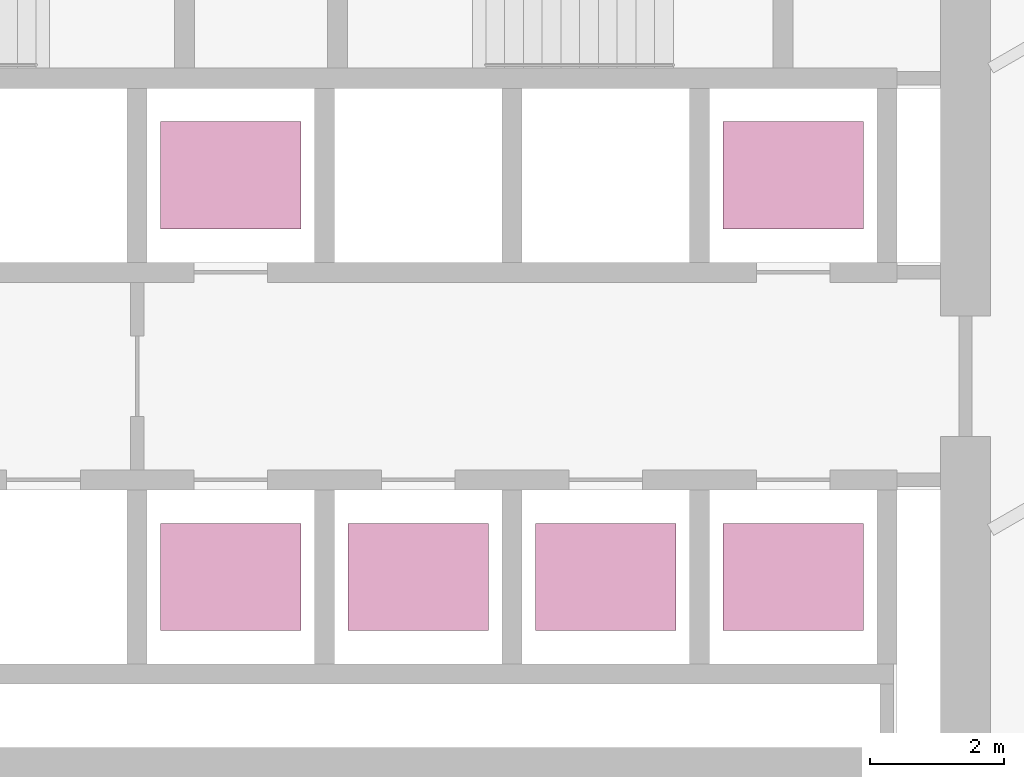
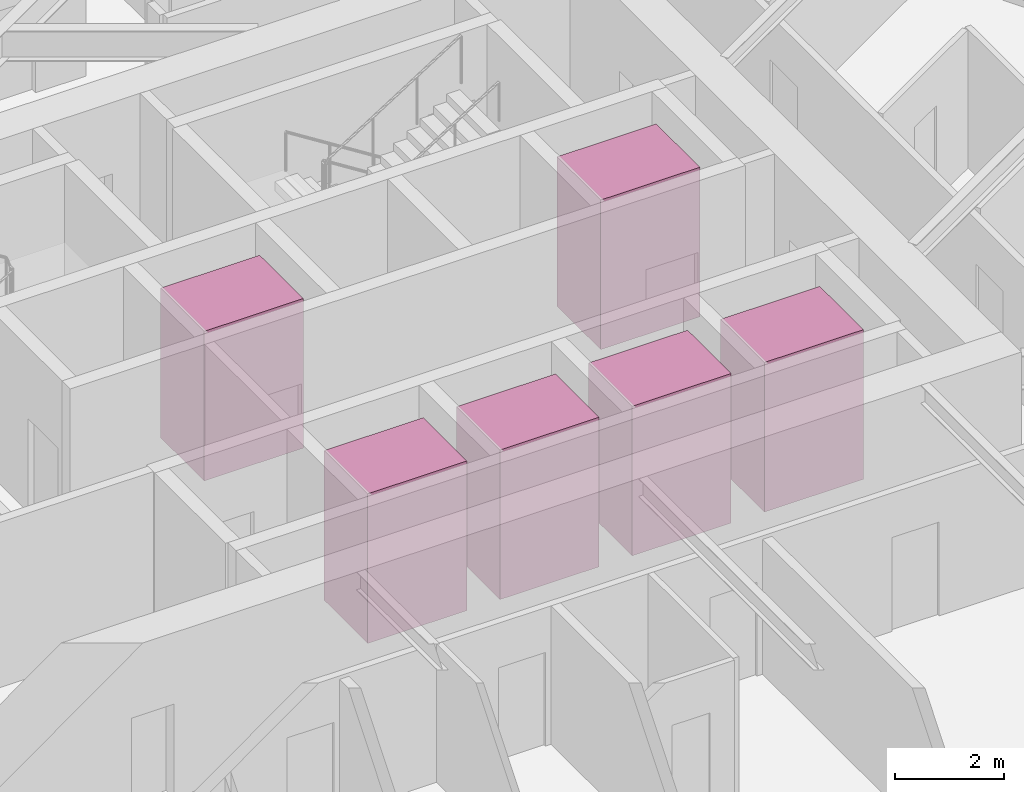
# One storey, part 26 of 26: 6 transport elements.
"""IFC4 building model written with IfcOpenShell, lengths in metres."""

from ifc_helpers import new_model, si_unit, direction, frame, origin, origin_2d, place, context, subcontext, project, spatial, rectangle, extrude, material, type_object, element, save


model = new_model("IFC4")

# Units and contexts
model_context = context("Model", 3, precision=1e-05, world=origin(), true_north=direction((0.0, 1.0)))
body_context = subcontext(model_context, "Body", "Model", "MODEL_VIEW")
ifc_project = project(units=[si_unit("LENGTHUNIT", "METRE"), si_unit("AREAUNIT", "SQUARE_METRE"), si_unit("VOLUMEUNIT", "CUBIC_METRE"), si_unit("PLANEANGLEUNIT", "RADIAN"), si_unit("MASSUNIT", "GRAM", prefix="KILO")], contexts=[model_context])

# Site, building, storey
site_placement = place(None, origin())
site = spatial("IfcSite", under=ifc_project, at=site_placement, CompositionType="ELEMENT")
building_placement = place(site_placement, origin())
building = spatial("IfcBuilding", under=site, at=building_placement, Name="Firuza Gate Tower and Library", CompositionType="ELEMENT")
storey_placement = place(building_placement, frame((0.0, 0.0, 175.300048828125)))
storey = spatial("IfcBuildingStorey", under=building, at=storey_placement, Name="L40", CompositionType="ELEMENT", Elevation=175.300048828125)

# Transport elements
ifc_material = material(Name="Stainless steel and glass", Category="steel")
transport_element_type = type_object("IfcTransportElementType", Name="Mid-rise lift car 2100x1600", PredefinedType="ELEVATOR", material=ifc_material)
for number, where, z_axis, x_axis, name in (
    (1, (74.64990234375, 70.300048828125, 0.0), (0.0, 0.0, 1.0), (1.0, 0.0, 0.0), "Mid-rise lift MR1"),
    (2, (77.449951171875, 70.300048828125, 0.0), (0.0, 0.0, 1.0), (1.0, 0.0, 0.0), "Mid-rise lift MR2"),
    (3, (80.25, 70.300048828125, 0.0), (0.0, 0.0, 1.0), (1.0, 0.0, 0.0), "Mid-rise lift MR3"),
    (4, (74.64990234375, 76.300048828125, 0.0), (0.0, 0.0, 1.0), (1.0, 0.0, 0.0), "Mid-rise lift MR4"),
    (5, (83.050048828125, 70.300048828125, 0.0), (0.0, 0.0, 1.0), (1.0, 0.0, 0.0), "Mid-rise lift MR5"),
    (6, (83.050048828125, 76.300048828125, 0.0), (0.0, 0.0, 1.0), (1.0, 0.0, 0.0), "Mid-rise lift MR6"),
):
    element("IfcTransportElement", number, at=place(storey_placement, frame(where, z_axis=z_axis, x_axis=x_axis)), inside=storey, type_object=transport_element_type, Name=name, PredefinedType="ELEVATOR", context=body_context, shape_type="SweptSolid", body=[
        extrude(rectangle(XDim=2.10009765625, YDim=1.60009765625, at=origin_2d()), origin(), (0.0, 0.0, 1.0), 3.35009765625),
    ])

save(model, "model.ifc")
